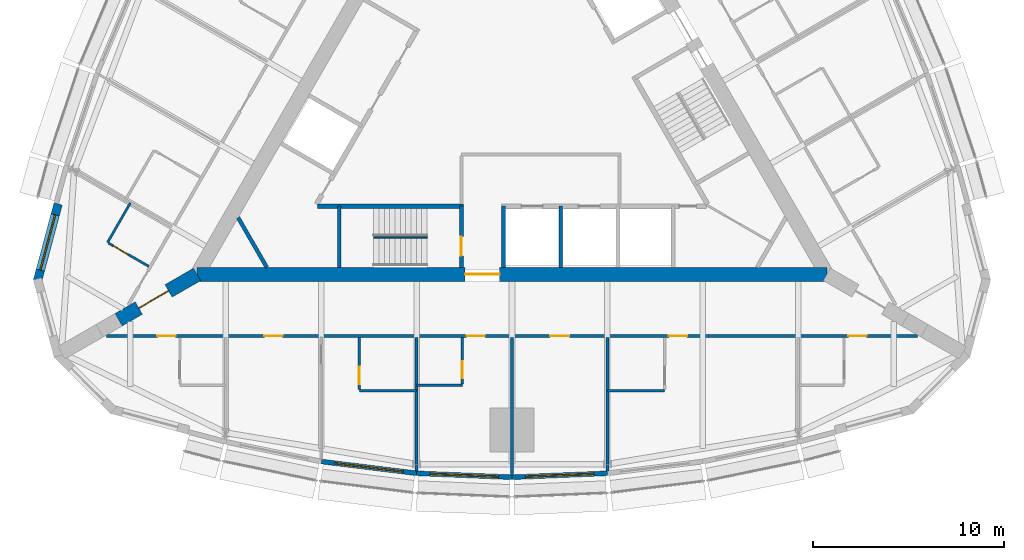
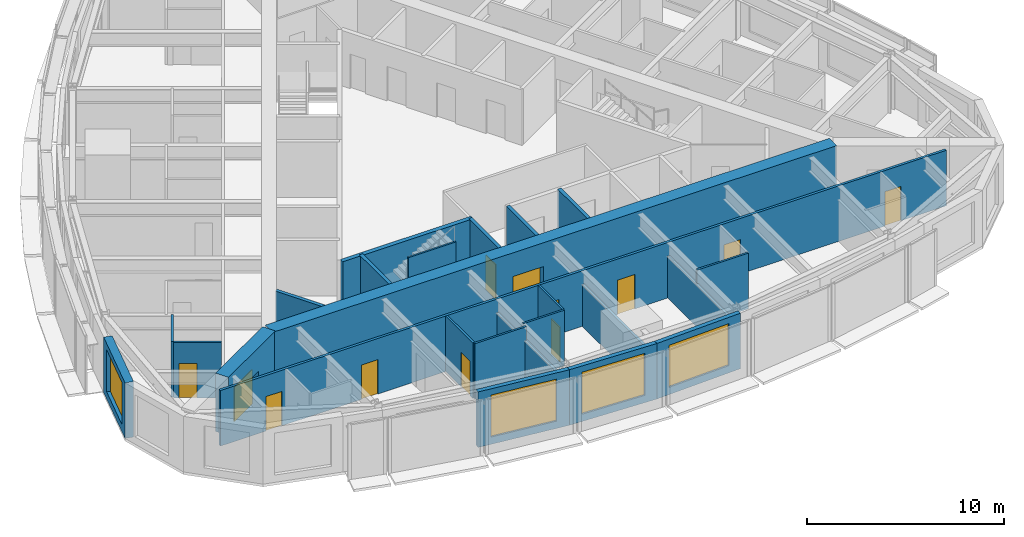
# One storey, part 9 of 15: 24 walls, 12 doors, 4 windows, 16 openings.
"""IFC4 building model written with IfcOpenShell, lengths in metres."""

import ifcopenshell
import ifcopenshell.guid

model = None  # the IFC model being written
_history = None  # IfcOwnerHistory: only IFC2X3 demands one
_inside = {}  # id of a spatial element -> (the spatial element, [elements in it])
_under = {}  # id of a project, library or spatial element -> (it, [spatial elements below it])
_declared = {}  # id of a project -> (the project, [libraries it declares])
_typed = {}  # id of a type object -> (the type object, [elements of that type])
_made_of = {}  # id of a material, layer set ... -> (it, [elements and type objects made of it])


def new_model(schema):
    """Start an empty IFC model of exactly this schema.

    Asked for "IFC4X3", IfcOpenShell would pick the latest addendum, in which some entities
    have other attributes; the version numbers below select the first issue.
    IFC2X3 requires an IfcOwnerHistory on every rooted entity: one is made here for all.
    """
    global model, _history
    if schema == "IFC4X3":
        model = ifcopenshell.file(schema_version=(4, 3, 0, 0))
    else:
        model = ifcopenshell.file(schema=schema)
    _inside.clear()
    _under.clear()
    _declared.clear()
    _typed.clear()
    _made_of.clear()
    _history = None
    if model.schema == "IFC2X3":
        org = make("IfcOrganization", Name="unknown")
        user = make(
            "IfcPersonAndOrganization",
            ThePerson=make("IfcPerson", FamilyName="unknown"),
            TheOrganization=org,
        )
        app = make(
            "IfcApplication",
            ApplicationDeveloper=org,
            Version="unknown",
            ApplicationFullName="unknown",
            ApplicationIdentifier="unknown",
        )
        _history = make(
            "IfcOwnerHistory",
            OwningUser=user,
            OwningApplication=app,
            ChangeAction="ADDED",
            CreationDate=0,
        )
    return model


def make(cls, **values):
    """One entity of the class cls with the attributes given. An attribute that is None is left unset."""
    return model.create_entity(
        cls, **{name: value for name, value in values.items() if value is not None}
    )


def rooted(cls, **values):
    """An entity with a GlobalId (a new one), such as an element, a storey or a relation."""
    return make(cls, GlobalId=ifcopenshell.guid.new(), OwnerHistory=_history, **values)


def si_unit(unit_type, name, prefix=None):
    """IfcSIUnit, for example si_unit("LENGTHUNIT", "METRE", prefix="MILLI")."""
    return make("IfcSIUnit", UnitType=unit_type, Prefix=prefix, Name=name)


def assignment(units):
    """IfcUnitAssignment: the units of a project."""
    return None if units is None else make("IfcUnitAssignment", Units=units)


def point(xyz):
    """IfcCartesianPoint."""
    return None if xyz is None else make("IfcCartesianPoint", Coordinates=xyz)


def direction(xyz):
    """IfcDirection."""
    return None if xyz is None else make("IfcDirection", DirectionRatios=xyz)


def frame(location, z_axis=None, x_axis=None):
    """IfcAxis2Placement3D, a coordinate frame: its origin and axes. An axis left out is left unset."""
    return make(
        "IfcAxis2Placement3D",
        Location=point(location),
        Axis=direction(z_axis),
        RefDirection=direction(x_axis),
    )


def frame_2d(location, x_axis=None):
    """IfcAxis2Placement2D, a coordinate frame in the plane: its origin and x axis."""
    return make(
        "IfcAxis2Placement2D", Location=point(location), RefDirection=direction(x_axis)
    )


def origin():
    """The frame at (0, 0, 0) with its axes left unset."""
    return frame((0.0, 0.0, 0.0))


def place(relative_to, where):
    """IfcLocalPlacement: puts the frame where relative to a parent placement (None: the world)."""
    return make(
        "IfcLocalPlacement", PlacementRelTo=relative_to, RelativePlacement=where
    )


def context(
    kind, dimensions, precision=None, world=None, true_north=None, identifier=None
):
    """IfcGeometricRepresentationContext, for example the 3D "Model" context."""
    return make(
        "IfcGeometricRepresentationContext",
        ContextIdentifier=identifier,
        ContextType=kind,
        CoordinateSpaceDimension=dimensions,
        Precision=precision,
        WorldCoordinateSystem=world,
        TrueNorth=true_north,
    )


def subcontext(parent, identifier, kind, view, scale=None):
    """IfcGeometricRepresentationSubContext, for example "Body" below "Model"."""
    return make(
        "IfcGeometricRepresentationSubContext",
        ContextIdentifier=identifier,
        ContextType=kind,
        ParentContext=parent,
        TargetScale=scale,
        TargetView=view,
    )


def project(units=None, contexts=None):
    """IfcProject with its units and contexts."""
    return rooted(
        "IfcProject",
        Name="project",
        RepresentationContexts=contexts,
        UnitsInContext=assignment(units),
    )


def spatial(cls, under=None, at=None, **own):
    """A site, building, storey or space (cls), placed at a placement, below another one or the project."""
    s = rooted(cls, ObjectPlacement=at, **own)
    if under is not None:
        _under.setdefault(under.id(), (under, []))[1].append(s)
    return s


def profile(cls, at=None, kind="AREA", **sizes):
    """A parametric profile (cls). Its sizes go by their IFC names, for example OverallWidth=200.0."""
    return make(cls, ProfileType=kind, Position=at, **sizes)


def rectangle(**sizes):
    """IfcRectangleProfileDef."""
    return profile("IfcRectangleProfileDef", **sizes)


def extrude(swept, where, along, depth):
    """IfcExtrudedAreaSolid: the profile swept, set in the frame where, extruded along a direction by depth."""
    return make(
        "IfcExtrudedAreaSolid",
        SweptArea=swept,
        Position=where,
        ExtrudedDirection=direction(along),
        Depth=depth,
    )


def shape(context_of_items, identifier, shape_type, items):
    """IfcShapeRepresentation: the items that make up one representation, for example the "Body"."""
    return make(
        "IfcShapeRepresentation",
        ContextOfItems=context_of_items,
        RepresentationIdentifier=identifier,
        RepresentationType=shape_type,
        Items=items,
    )


def material(Name=None, Category=None):
    """IfcMaterial."""
    return make("IfcMaterial", Name=Name, Category=Category)


def layer(
    of_material, thickness, ventilated=None, Name=None, Category=None, Priority=None
):
    """IfcMaterialLayer: one layer of a wall or slab, of a material (None: an air gap)."""
    return make(
        "IfcMaterialLayer",
        Material=of_material,
        LayerThickness=thickness,
        IsVentilated=ventilated,
        Name=Name,
        Category=Category,
        Priority=Priority,
    )


def layer_set(layers, Name=None):
    """IfcMaterialLayerSet."""
    return make("IfcMaterialLayerSet", MaterialLayers=layers, LayerSetName=Name)


def made_of(thing, what):
    """Note that an element or type object is made of a material, layer set ...; save() writes the relation."""
    if what is not None:
        _made_of.setdefault(what.id(), (what, []))[1].append(thing)
    return thing


def type_object(cls, material=None, **own):
    """A type object (cls), such as IfcWallType, which elements share."""
    return made_of(rooted(cls, **own), material)


def element(
    cls,
    number,
    at=None,
    inside=None,
    cuts=None,
    type_object=None,
    material=None,
    context=None,
    identifier="Body",
    shape_type=None,
    held_by="IfcProductDefinitionShape",
    body=None,
    shapes=None,
    **own,
):
    """One element of the class cls, such as IfcWall. Its Tag is "e" and its number.

    at: its placement. inside: the storey or other place that contains it. cuts: it is an
    opening in that element (IfcRelVoidsElement). A single representation is given by context,
    identifier, shape_type and body (its items); several are given by shapes. held_by: the class
    of the entity that holds the representations. save() writes the other relations.
    """
    e = rooted(cls, Tag="e%d" % number, ObjectPlacement=at, **own)
    if body is not None:
        shapes = [shape(context, identifier, shape_type, body)]
    if shapes is not None:
        e.Representation = make(held_by, Representations=shapes)
    if inside is not None:
        _inside.setdefault(inside.id(), (inside, []))[1].append(e)
    if cuts is not None:
        rooted(
            "IfcRelVoidsElement", RelatingBuildingElement=cuts, RelatedOpeningElement=e
        )
    if type_object is not None:
        _typed.setdefault(type_object.id(), (type_object, []))[1].append(e)
    return made_of(e, material)


def fill(opening, filler):
    """IfcRelFillsElement: the door or window that sits in an opening."""
    return rooted(
        "IfcRelFillsElement",
        RelatingOpeningElement=opening,
        RelatedBuildingElement=filler,
    )


def aggregate(whole, parts):
    """IfcRelAggregates: a whole, such as a stair, and the parts it consists of."""
    return rooted("IfcRelAggregates", RelatingObject=whole, RelatedObjects=parts)


def save(model, path):
    """Write the relations noted so far, then the file.

    IfcRelAggregates (storeys below a building ...), IfcRelContainedInSpatialStructure (elements
    in a storey), IfcRelDefinesByType, IfcRelAssociatesMaterial and IfcRelDeclares: one each for
    every whole, place, type object, material and project.
    """
    for whole, parts in _under.values():
        aggregate(whole, parts)
    for where, things in _inside.values():
        rooted(
            "IfcRelContainedInSpatialStructure",
            RelatedElements=things,
            RelatingStructure=where,
        )
    for kind, things in _typed.values():
        rooted("IfcRelDefinesByType", RelatedObjects=things, RelatingType=kind)
    for what, things in _made_of.values():
        rooted("IfcRelAssociatesMaterial", RelatedObjects=things, RelatingMaterial=what)
    for by, libraries in _declared.values():
        rooted("IfcRelDeclares", RelatingContext=by, RelatedDefinitions=libraries)
    model.write(path)


model = new_model("IFC4")

# Units and contexts
model_context = context("Model", 3, precision=1e-05, world=origin(), true_north=direction((0.0, 1.0)))
body_context = subcontext(model_context, "Body", "Model", "MODEL_VIEW")
ifc_project = project(units=[si_unit("LENGTHUNIT", "METRE"), si_unit("AREAUNIT", "SQUARE_METRE"), si_unit("VOLUMEUNIT", "CUBIC_METRE"), si_unit("PLANEANGLEUNIT", "RADIAN"), si_unit("MASSUNIT", "GRAM", prefix="KILO")], contexts=[model_context])

# Site, building, storey
site_placement = place(None, origin())
site = spatial("IfcSite", under=ifc_project, at=site_placement, CompositionType="ELEMENT")
building_placement = place(site_placement, origin())
building = spatial("IfcBuilding", under=site, at=building_placement, Name="Trikona Tower", CompositionType="ELEMENT")
storey_placement = place(building_placement, frame((0.0, 0.0, 208.10009765625)))
storey = spatial("IfcBuildingStorey", under=building, at=storey_placement, Name="L55", CompositionType="ELEMENT", Elevation=208.10009765625)

# Wall
ifc_material_1 = material(Name="Metal stud and cement board", Category="gypsum")
ifc_layer_1 = layer(ifc_material_1, 0.1201171875)
ifc_layer_set_1 = layer_set([ifc_layer_1], Name="Bathroom wall 120")
wall_type_1 = type_object("IfcWallType", Name="Bathroom wall 120", PredefinedType="PLUMBINGWALL", material=ifc_layer_set_1)
wall_1_placement = place(storey_placement, frame((-8.0, -15.626220703125, 0.0), z_axis=(0.0, 0.0, 1.0), x_axis=(1.0, 0.0, 0.0)))
element("IfcWall", 1, at=wall_1_placement, inside=storey, type_object=wall_type_1, Name="Bathroom wall 5502.1", PredefinedType="PLUMBINGWALL", context=body_context, shape_type="SweptSolid", body=[
    extrude(rectangle(XDim=3.0, YDim=0.1201171875, at=frame_2d((1.5, 0.0))), origin(), (0.0, 0.0, 1.0), 3.434814453125),
])

# Wall, opening, door
wall_2_placement = place(storey_placement, frame((-8.0, -12.826416015625, 0.0), z_axis=(0.0, 0.0, 1.0), x_axis=(0.0, -1.0, 0.0)))
wall_2 = element("IfcWall", 2, at=wall_2_placement, inside=storey, type_object=wall_type_1, Name="Bathroom wall 5502.1", PredefinedType="PLUMBINGWALL", context=body_context, shape_type="SweptSolid", body=[
    extrude(rectangle(XDim=2.739990234375, YDim=0.1201171875, at=frame_2d((1.3701171875, 0.0))), origin(), (0.0, 0.0, 1.0), 3.434814453125),
])
opening_1_placement = place(wall_2_placement, frame((1.550048828125, 0.0, 0.0)))
opening_1 = element("IfcOpeningElement", 3, at=opening_1_placement, cuts=wall_2, Name="Opening D2", PredefinedType="OPENING", context=body_context, shape_type="SweptSolid", body=[
    extrude(rectangle(XDim=0.89990234375, YDim=2.1298828125, at=frame_2d((0.449951171875, 1.06494140625))), frame((0.0, 0.070068359375, 0.0), z_axis=(0.0, -1.0, 0.0), x_axis=(1.0, 0.0, 0.0)), (0.0, 0.0, 1.0), 0.14013671875),
])
ifc_material_2 = material(Name="Steel door frame with solid-core timber leaf", Category="steel")
door_type_1 = type_object("IfcDoorType", Name="Bathroom door 900x2130", OperationType="SLIDING_TO_LEFT", PredefinedType="DOOR", material=ifc_material_2)
door_1_placement = place(opening_1_placement, origin())
door_1 = element("IfcDoor", 4, at=door_1_placement, inside=storey, type_object=door_type_1, Name="Bathroom door 5502.1", OperationType="SLIDING_TO_LEFT", OverallHeight=2.1298828125, OverallWidth=0.89990234375, PredefinedType="DOOR", context=body_context, shape_type="SweptSolid", body=[
    extrude(rectangle(XDim=0.89990234375, YDim=2.1298828125, at=frame_2d((0.449951171875, 1.06494140625))), frame((0.0, 0.02490234375, 0.0), z_axis=(0.0, -1.0, 0.0), x_axis=(1.0, 0.0, 0.0)), (0.0, 0.0, 1.0), 0.050048828125),
])
fill(opening_1, door_1)

# Wall
wall_3_placement = place(storey_placement, frame((-5.0, -15.326416015625, 0.0), z_axis=(0.0, 0.0, 1.0), x_axis=(1.0, 0.0, 0.0)))
element("IfcWall", 5, at=wall_3_placement, inside=storey, type_object=wall_type_1, Name="Bathroom wall 5503", PredefinedType="PLUMBINGWALL", context=body_context, shape_type="SweptSolid", body=[
    extrude(rectangle(XDim=2.39990234375, YDim=0.1201171875, at=frame_2d((1.199951171875, 0.0))), origin(), (0.0, 0.0, 1.0), 3.434814453125),
])

# Wall, opening, door
wall_4_placement = place(storey_placement, frame((-2.60009765625, -12.826416015625, 0.0), z_axis=(0.0, 0.0, 1.0), x_axis=(0.0, -1.0, 0.0)))
wall_4 = element("IfcWall", 6, at=wall_4_placement, inside=storey, type_object=wall_type_1, Name="Bathroom wall 5503", PredefinedType="PLUMBINGWALL", context=body_context, shape_type="SweptSolid", body=[
    extrude(rectangle(XDim=2.43994140625, YDim=0.1201171875, at=frame_2d((1.219970703125, 0.0))), origin(), (0.0, 0.0, 1.0), 3.434814453125),
])
opening_2_placement = place(wall_4_placement, frame((1.25, 0.0, 0.0)))
opening_2 = element("IfcOpeningElement", 7, at=opening_2_placement, cuts=wall_4, Name="Opening D2", PredefinedType="OPENING", context=body_context, shape_type="SweptSolid", body=[
    extrude(rectangle(XDim=0.89990234375, YDim=2.1298828125, at=frame_2d((0.449951171875, 1.06494140625))), frame((0.0, 0.070068359375, 0.0), z_axis=(0.0, -1.0, 0.0), x_axis=(1.0, 0.0, 0.0)), (0.0, 0.0, 1.0), 0.14013671875),
])
door_2_placement = place(opening_2_placement, origin())
door_2 = element("IfcDoor", 8, at=door_2_placement, inside=storey, type_object=door_type_1, Name="Bathroom door 5503", OperationType="SLIDING_TO_LEFT", OverallHeight=2.1298828125, OverallWidth=0.89990234375, PredefinedType="DOOR", context=body_context, shape_type="SweptSolid", body=[
    extrude(rectangle(XDim=0.89990234375, YDim=2.1298828125, at=frame_2d((0.449951171875, 1.06494140625))), frame((0.0, 0.02490234375, 0.0), z_axis=(0.0, -1.0, 0.0), x_axis=(1.0, 0.0, 0.0)), (0.0, 0.0, 1.0), 0.050048828125),
])
fill(opening_2, door_2)

# Walls
wall_5_placement = place(storey_placement, frame((5.0, -15.626220703125, 0.0), z_axis=(0.0, 0.0, 1.0), x_axis=(1.0, 0.0, 0.0)))
element("IfcWall", 9, at=wall_5_placement, inside=storey, type_object=wall_type_1, Name="Bathroom wall 5504", PredefinedType="PLUMBINGWALL", context=body_context, shape_type="SweptSolid", body=[
    extrude(rectangle(XDim=3.0, YDim=0.1201171875, at=frame_2d((1.5, 0.0))), origin(), (0.0, 0.0, 1.0), 3.434814453125),
])
wall_6_placement = place(storey_placement, frame((-19.993408203125, -5.777099609375, 0.0), z_axis=(0.0, 0.0, 1.0), x_axis=(-0.500033551112, -0.866006032174, 0.0)))
element("IfcWall", 10, at=wall_6_placement, inside=storey, type_object=wall_type_1, Name="Bathroom wall 5516", PredefinedType="PLUMBINGWALL", context=body_context, shape_type="SweptSolid", body=[
    extrude(rectangle(XDim=2.400146484375, YDim=0.1201171875, at=frame_2d((1.2001953125, 0.0))), origin(), (0.0, 0.0, 1.0), 3.434814453125),
])

# Wall, opening, door
wall_7_placement = place(storey_placement, frame((-19.028564453125, -9.105712890625, 0.0), z_axis=(0.0, 0.0, 1.0), x_axis=(-0.866023955769, 0.500002508028, 0.0)))
wall_7 = element("IfcWall", 11, at=wall_7_placement, inside=storey, type_object=wall_type_1, Name="Bathroom wall 5516", PredefinedType="PLUMBINGWALL", context=body_context, shape_type="SweptSolid", body=[
    extrude(rectangle(XDim=2.43994140625, YDim=0.1201171875, at=frame_2d((1.219970703125, 0.0))), origin(), (0.0, 0.0, 1.0), 3.434814453125),
])
opening_3_placement = place(wall_7_placement, frame((1.25, 0.0, 0.0)))
opening_3 = element("IfcOpeningElement", 12, at=opening_3_placement, cuts=wall_7, Name="Opening D2", PredefinedType="OPENING", context=body_context, shape_type="SweptSolid", body=[
    extrude(rectangle(XDim=0.89990234375, YDim=2.1298828125, at=frame_2d((0.449951171875, 1.06494140625))), frame((0.0, 0.070068359375, 0.0), z_axis=(0.0, -1.0, 0.0), x_axis=(1.0, 0.0, 0.0)), (0.0, 0.0, 1.0), 0.14013671875),
])
door_3_placement = place(opening_3_placement, origin())
door_3 = element("IfcDoor", 13, at=door_3_placement, inside=storey, type_object=door_type_1, Name="Bathroom door 5516", OperationType="SLIDING_TO_LEFT", OverallHeight=2.1298828125, OverallWidth=0.89990234375, PredefinedType="DOOR", context=body_context, shape_type="SweptSolid", body=[
    extrude(rectangle(XDim=0.89990234375, YDim=2.1298828125, at=frame_2d((0.449951171875, 1.06494140625))), frame((0.0, 0.02490234375, 0.0), z_axis=(0.0, -1.0, 0.0), x_axis=(1.0, 0.0, 0.0)), (0.0, 0.0, 1.0), 0.050048828125),
])
fill(opening_3, door_3)

# Wall, opening, window
ifc_material_3 = material(Name="Brick-faced precast concrete", Category="masonry")
ifc_layer_2 = layer(ifc_material_3, 0.449951171875)
ifc_layer_set_2 = layer_set([ifc_layer_2], Name="Brick-faced corner wall 450")
wall_type_2 = type_object("IfcWallType", Name="Brick-faced corner wall 450", PredefinedType="SOLIDWALL", material=ifc_layer_set_2)
wall_8_placement = place(storey_placement, frame((-23.78271484375, -5.831787109375, 0.0), z_axis=(0.0, 0.0, 1.0), x_axis=(-0.258784695888, -0.965935029479, 0.0)))
wall_8 = element("IfcWall", 14, at=wall_8_placement, inside=storey, type_object=wall_type_2, Name="External wall L55-32", PredefinedType="SOLIDWALL", context=body_context, shape_type="SweptSolid", body=[
    extrude(rectangle(XDim=4.18408203125, YDim=0.449951171875, at=frame_2d((2.092041015625, 0.0))), origin(), (0.0, 0.0, 1.0), 3.434814453125),
])
opening_4_placement = place(wall_8_placement, frame((0.592041015625, 0.0, 0.449951171875)))
opening_4 = element("IfcOpeningElement", 15, at=opening_4_placement, cuts=wall_8, Name="Opening W3026", PredefinedType="OPENING", context=body_context, shape_type="SweptSolid", body=[
    extrude(rectangle(XDim=3.0, YDim=2.60009765625, at=frame_2d((1.5, 1.300048828125))), frame((0.0, 0.23486328125, 0.0), z_axis=(0.0, -1.0, 0.0), x_axis=(1.0, 0.0, 0.0)), (0.0, 0.0, 1.0), 0.469970703125),
])
ifc_material_4 = material(Name="Aluminium-framed double glazing", Category="aluminium")
window_type_1 = type_object("IfcWindowType", Name="Window 3000x2600", PartitioningType="SINGLE_PANEL", PredefinedType="WINDOW", material=ifc_material_4)
window_1_placement = place(opening_4_placement, origin())
window_1 = element("IfcWindow", 16, at=window_1_placement, inside=storey, type_object=window_type_1, Name="Window 5516", OverallHeight=2.60009765625, OverallWidth=3.0, PartitioningType="SINGLE_PANEL", PredefinedType="WINDOW", context=body_context, shape_type="SweptSolid", body=[
    extrude(rectangle(XDim=3.0, YDim=2.60009765625, at=frame_2d((1.5, 1.300048828125))), frame((0.0, 0.030029296875, 0.0), z_axis=(0.0, -1.0, 0.0), x_axis=(1.0, 0.0, 0.0)), (0.0, 0.0, 1.0), 0.06005859375),
])
fill(opening_4, window_1)

# Wall, opening, door
ifc_material_5 = material(Name="Concrete f'c 10000 psi", Category="concrete")
ifc_layer_3 = layer(ifc_material_5, 0.75)
ifc_layer_set_3 = layer_set([ifc_layer_3], Name="Buttress wall 750")
wall_type_3 = type_object("IfcWallType", Name="Buttress wall 750", PredefinedType="SHEAR", material=ifc_layer_set_3)
wall_9_placement = place(storey_placement, frame((-16.5, -9.5263671875, 0.0), z_axis=(0.0, 0.0, 1.0), x_axis=(-0.866031398331, -0.499989616998, 0.0)))
wall_9 = element("IfcWall", 17, at=wall_9_placement, inside=storey, type_object=wall_type_3, Name="Buttress wall 3", PredefinedType="SHEAR", context=body_context, shape_type="SweptSolid", body=[
    extrude(rectangle(XDim=4.74609375, YDim=0.75, at=frame_2d((2.373046875, 0.0))), origin(), (0.0, 0.0, 1.0), 3.599853515625),
])
opening_5_placement = place(wall_9_placement, frame((1.72509765625, 0.0, 0.0)))
opening_5 = element("IfcOpeningElement", 18, at=opening_5_placement, cuts=wall_9, Name="Opening D10", PredefinedType="OPENING", context=body_context, shape_type="SweptSolid", body=[
    extrude(rectangle(XDim=1.800048828125, YDim=2.1298828125, at=frame_2d((0.89990234375, 1.06494140625))), frame((0.0, 0.385009765625, 0.0), z_axis=(0.0, -1.0, 0.0), x_axis=(1.0, 0.0, 0.0)), (0.0, 0.0, 1.0), 0.77001953125),
])
ifc_material_6 = material(Name="Hollow metal door and frame", Category="steel")
door_type_2 = type_object("IfcDoorType", Name="Cross-corridor door pair 1800x2130", OperationType="DOUBLE_DOOR_DOUBLE_SWING", PredefinedType="DOOR", material=ifc_material_6)
door_4_placement = place(opening_5_placement, origin())
door_4 = element("IfcDoor", 19, at=door_4_placement, inside=storey, type_object=door_type_2, Name="Cross-corridor door 3", OperationType="DOUBLE_DOOR_DOUBLE_SWING", OverallHeight=2.1298828125, OverallWidth=1.800048828125, PredefinedType="DOOR", context=body_context, shape_type="SweptSolid", body=[
    extrude(rectangle(XDim=1.800048828125, YDim=2.1298828125, at=frame_2d((0.89990234375, 1.06494140625))), frame((0.0, 0.02490234375, 0.0), z_axis=(0.0, -1.0, 0.0), x_axis=(1.0, 0.0, 0.0)), (0.0, 0.0, 1.0), 0.050048828125),
])
fill(opening_5, door_4)

ifc_material_7 = material(Name="Concrete f'c 10000 psi", Category="concrete")
ifc_layer_4 = layer(ifc_material_7, 0.75)
ifc_layer_set_4 = layer_set([ifc_layer_4], Name="Core wall 750")
wall_type_4 = type_object("IfcWallType", Name="Core wall 750", PredefinedType="SHEAR", material=ifc_layer_set_4)
wall_10_placement = place(storey_placement, frame((-16.5, -9.5263671875, 0.0), z_axis=(0.0, 0.0, 1.0), x_axis=(1.0, 0.0, 0.0)))
wall_10 = element("IfcWall", 20, at=wall_10_placement, inside=storey, type_object=wall_type_4, Name="Core wall A", PredefinedType="SHEAR", context=body_context, shape_type="SweptSolid", body=[
    extrude(rectangle(XDim=33.0, YDim=0.75, at=frame_2d((16.5, 0.0))), origin(), (0.0, 0.0, 1.0), 3.599853515625),
])
opening_6_placement = place(wall_10_placement, frame((14.050048828125, 0.0, 0.0)))
opening_6 = element("IfcOpeningElement", 21, at=opening_6_placement, cuts=wall_10, Name="Opening D6", PredefinedType="OPENING", context=body_context, shape_type="SweptSolid", body=[
    extrude(rectangle(XDim=1.800048828125, YDim=2.1298828125, at=frame_2d((0.89990234375, 1.06494140625))), frame((0.0, 0.385009765625, 0.0), z_axis=(0.0, -1.0, 0.0), x_axis=(1.0, 0.0, 0.0)), (0.0, 0.0, 1.0), 0.77001953125),
])
ifc_material_8 = material(Name="Hollow metal door and frame", Category="steel")
door_type_3 = type_object("IfcDoorType", Name="Lobby door pair 1800x2130", OperationType="DOUBLE_DOOR_SINGLE_SWING", PredefinedType="DOOR", material=ifc_material_8)
door_5_placement = place(opening_6_placement, origin())
door_5 = element("IfcDoor", 22, at=door_5_placement, inside=storey, type_object=door_type_3, Name="Fire service lift lobby door", OperationType="DOUBLE_DOOR_SINGLE_SWING", OverallHeight=2.1298828125, OverallWidth=1.800048828125, PredefinedType="DOOR", context=body_context, shape_type="SweptSolid", body=[
    extrude(rectangle(XDim=1.800048828125, YDim=2.1298828125, at=frame_2d((0.89990234375, 1.06494140625))), frame((0.0, 0.02490234375, 0.0), z_axis=(0.0, -1.0, 0.0), x_axis=(1.0, 0.0, 0.0)), (0.0, 0.0, 1.0), 0.050048828125),
])
fill(opening_6, door_5)

# Wall, openings, doors
ifc_material_9 = material(Name="Metal stud and gypsum board, 1-hour", Category="gypsum")
ifc_layer_5 = layer(ifc_material_9, 0.14990234375)
ifc_layer_set_5 = layer_set([ifc_layer_5], Name="Corridor wall 150")
wall_type_5 = type_object("IfcWallType", Name="Corridor wall 150", PredefinedType="PARTITIONING", material=ifc_layer_set_5)
wall_11_placement = place(storey_placement, frame((-21.23583984375, -12.751220703125, 0.0), z_axis=(0.0, 0.0, 1.0), x_axis=(1.0, 0.0, 0.0)))
wall_11 = element("IfcWall", 23, at=wall_11_placement, inside=storey, type_object=wall_type_5, Name="Corridor wall L55-1", PredefinedType="PARTITIONING", context=body_context, shape_type="SweptSolid", body=[
    extrude(rectangle(XDim=42.4716796875, YDim=0.14990234375, at=frame_2d((21.23583984375, 0.0))), origin(), (0.0, 0.0, 1.0), 3.434814453125),
])
opening_7_placement = place(wall_11_placement, frame((2.660888671875, 0.0, 0.0)))
opening_7 = element("IfcOpeningElement", 24, at=opening_7_placement, cuts=wall_11, Name="Opening D1", PredefinedType="OPENING", context=body_context, shape_type="SweptSolid", body=[
    extrude(rectangle(XDim=0.949951171875, YDim=2.1298828125, at=frame_2d((0.47509765625, 1.06494140625))), frame((0.0, 0.0849609375, 0.0), z_axis=(0.0, -1.0, 0.0), x_axis=(1.0, 0.0, 0.0)), (0.0, 0.0, 1.0), 0.169921875),
])
opening_8_placement = place(wall_11_placement, frame((8.260986328125, 0.0, 0.0)))
opening_8 = element("IfcOpeningElement", 25, at=opening_8_placement, cuts=wall_11, Name="Opening D1", PredefinedType="OPENING", context=body_context, shape_type="SweptSolid", body=[
    extrude(rectangle(XDim=0.949951171875, YDim=2.1298828125, at=frame_2d((0.47509765625, 1.06494140625))), frame((0.0, 0.0849609375, 0.0), z_axis=(0.0, -1.0, 0.0), x_axis=(1.0, 0.0, 0.0)), (0.0, 0.0, 1.0), 0.169921875),
])
opening_9_placement = place(wall_11_placement, frame((18.86083984375, 0.0, 0.0)))
opening_9 = element("IfcOpeningElement", 26, at=opening_9_placement, cuts=wall_11, Name="Opening D1", PredefinedType="OPENING", context=body_context, shape_type="SweptSolid", body=[
    extrude(rectangle(XDim=0.949951171875, YDim=2.1298828125, at=frame_2d((0.47509765625, 1.06494140625))), frame((0.0, 0.0849609375, 0.0), z_axis=(0.0, -1.0, 0.0), x_axis=(1.0, 0.0, 0.0)), (0.0, 0.0, 1.0), 0.169921875),
])
opening_10_placement = place(wall_11_placement, frame((23.23583984375, 0.0, 0.0)))
opening_10 = element("IfcOpeningElement", 27, at=opening_10_placement, cuts=wall_11, Name="Opening D3", PredefinedType="OPENING", context=body_context, shape_type="SweptSolid", body=[
    extrude(rectangle(XDim=1.0, YDim=2.1298828125, at=frame_2d((0.5, 1.06494140625))), frame((0.0, 0.0849609375, 0.0), z_axis=(0.0, -1.0, 0.0), x_axis=(1.0, 0.0, 0.0)), (0.0, 0.0, 1.0), 0.169921875),
])
opening_11_placement = place(wall_11_placement, frame((29.4609375, 0.0, 0.0)))
opening_11 = element("IfcOpeningElement", 28, at=opening_11_placement, cuts=wall_11, Name="Opening D1", PredefinedType="OPENING", context=body_context, shape_type="SweptSolid", body=[
    extrude(rectangle(XDim=0.949951171875, YDim=2.1298828125, at=frame_2d((0.47509765625, 1.06494140625))), frame((0.0, 0.0849609375, 0.0), z_axis=(0.0, -1.0, 0.0), x_axis=(1.0, 0.0, 0.0)), (0.0, 0.0, 1.0), 0.169921875),
])
opening_12_placement = place(wall_11_placement, frame((38.86083984375, 0.0, 0.0)))
opening_12 = element("IfcOpeningElement", 29, at=opening_12_placement, cuts=wall_11, Name="Opening D1", PredefinedType="OPENING", context=body_context, shape_type="SweptSolid", body=[
    extrude(rectangle(XDim=0.949951171875, YDim=2.1298828125, at=frame_2d((0.47509765625, 1.06494140625))), frame((0.0, 0.0849609375, 0.0), z_axis=(0.0, -1.0, 0.0), x_axis=(1.0, 0.0, 0.0)), (0.0, 0.0, 1.0), 0.169921875),
])
ifc_material_10 = material(Name="Steel door frame with solid-core timber leaf", Category="steel")
door_type_4 = type_object("IfcDoorType", Name="Guest room door 950x2130", OperationType="SINGLE_SWING_LEFT", PredefinedType="DOOR", material=ifc_material_10)
door_6_placement = place(opening_7_placement, origin())
door_6 = element("IfcDoor", 30, at=door_6_placement, inside=storey, type_object=door_type_4, Name="Room door 5501", OperationType="SINGLE_SWING_LEFT", OverallHeight=2.1298828125, OverallWidth=0.949951171875, PredefinedType="DOOR", context=body_context, shape_type="SweptSolid", body=[
    extrude(rectangle(XDim=0.949951171875, YDim=2.1298828125, at=frame_2d((0.47509765625, 1.06494140625))), frame((0.0, 0.02490234375, 0.0), z_axis=(0.0, -1.0, 0.0), x_axis=(1.0, 0.0, 0.0)), (0.0, 0.0, 1.0), 0.050048828125),
])
fill(opening_7, door_6)
door_7_placement = place(opening_8_placement, origin())
door_7 = element("IfcDoor", 31, at=door_7_placement, inside=storey, type_object=door_type_4, Name="Room door 5502", OperationType="SINGLE_SWING_RIGHT", OverallHeight=2.1298828125, OverallWidth=0.949951171875, PredefinedType="DOOR", context=body_context, shape_type="SweptSolid", body=[
    extrude(rectangle(XDim=0.949951171875, YDim=2.1298828125, at=frame_2d((0.47509765625, 1.06494140625))), frame((0.0, 0.02490234375, 0.0), z_axis=(0.0, -1.0, 0.0), x_axis=(1.0, 0.0, 0.0)), (0.0, 0.0, 1.0), 0.050048828125),
])
fill(opening_8, door_7)
door_8_placement = place(opening_9_placement, origin())
door_8 = element("IfcDoor", 32, at=door_8_placement, inside=storey, type_object=door_type_4, Name="Room door 5503", OperationType="SINGLE_SWING_LEFT", OverallHeight=2.1298828125, OverallWidth=0.949951171875, PredefinedType="DOOR", context=body_context, shape_type="SweptSolid", body=[
    extrude(rectangle(XDim=0.949951171875, YDim=2.1298828125, at=frame_2d((0.47509765625, 1.06494140625))), frame((0.0, 0.02490234375, 0.0), z_axis=(0.0, -1.0, 0.0), x_axis=(1.0, 0.0, 0.0)), (0.0, 0.0, 1.0), 0.050048828125),
])
fill(opening_9, door_8)
door_9_placement = place(opening_11_placement, origin())
door_9 = element("IfcDoor", 33, at=door_9_placement, inside=storey, type_object=door_type_4, Name="Room door 5504", OperationType="SINGLE_SWING_LEFT", OverallHeight=2.1298828125, OverallWidth=0.949951171875, PredefinedType="DOOR", context=body_context, shape_type="SweptSolid", body=[
    extrude(rectangle(XDim=0.949951171875, YDim=2.1298828125, at=frame_2d((0.47509765625, 1.06494140625))), frame((0.0, 0.02490234375, 0.0), z_axis=(0.0, -1.0, 0.0), x_axis=(1.0, 0.0, 0.0)), (0.0, 0.0, 1.0), 0.050048828125),
])
fill(opening_11, door_9)
door_10_placement = place(opening_12_placement, origin())
door_10 = element("IfcDoor", 34, at=door_10_placement, inside=storey, type_object=door_type_4, Name="Room door 5505", OperationType="SINGLE_SWING_RIGHT", OverallHeight=2.1298828125, OverallWidth=0.949951171875, PredefinedType="DOOR", context=body_context, shape_type="SweptSolid", body=[
    extrude(rectangle(XDim=0.949951171875, YDim=2.1298828125, at=frame_2d((0.47509765625, 1.06494140625))), frame((0.0, 0.02490234375, 0.0), z_axis=(0.0, -1.0, 0.0), x_axis=(1.0, 0.0, 0.0)), (0.0, 0.0, 1.0), 0.050048828125),
])
fill(opening_12, door_10)
ifc_material_11 = material(Name="Steel door frame with solid-core timber leaf", Category="steel")
door_type_5 = type_object("IfcDoorType", Name="Room door 1000x2130", OperationType="SINGLE_SWING_LEFT", PredefinedType="DOOR", material=ifc_material_11)
door_11_placement = place(opening_10_placement, origin())
door_11 = element("IfcDoor", 35, at=door_11_placement, inside=storey, type_object=door_type_5, Name="Door Housekeeping pantry", OperationType="SINGLE_SWING_RIGHT", OverallHeight=2.1298828125, OverallWidth=1.0, PredefinedType="DOOR", context=body_context, shape_type="SweptSolid", body=[
    extrude(rectangle(XDim=1.0, YDim=2.1298828125, at=frame_2d((0.5, 1.06494140625))), frame((0.0, 0.02490234375, 0.0), z_axis=(0.0, -1.0, 0.0), x_axis=(1.0, 0.0, 0.0)), (0.0, 0.0, 1.0), 0.050048828125),
])
fill(opening_10, door_11)

# Wall
ifc_material_12 = material(Name="Concrete f'c 8000 psi", Category="concrete")
ifc_layer_6 = layer(ifc_material_12, 0.25)
ifc_layer_set_6 = layer_set([ifc_layer_6], Name="Hub wall 250")
wall_type_6 = type_object("IfcWallType", Name="Hub wall 250", PredefinedType="SOLIDWALL", material=ifc_layer_set_6)
wall_12_placement = place(storey_placement, frame((-10.182861328125, -5.951416015625, 0.0), z_axis=(0.0, 0.0, 1.0), x_axis=(1.0, 0.0, 0.0)))
element("IfcWall", 36, at=wall_12_placement, inside=storey, type_object=wall_type_6, Name="Lift lobby wall A1", PredefinedType="SOLIDWALL", context=body_context, shape_type="SweptSolid", body=[
    extrude(rectangle(XDim=7.6328125, YDim=0.25, at=frame_2d((3.81640625, 0.0))), origin(), (0.0, 0.0, 1.0), 3.434814453125),
])

# Wall, opening, window
ifc_material_13 = material(Name="Insulated precast concrete spandrel panel", Category="concrete")
ifc_layer_7 = layer(ifc_material_13, 0.25)
ifc_layer_set_7 = layer_set([ifc_layer_7], Name="Inner skin wall 250")
wall_type_7 = type_object("IfcWallType", Name="Inner skin wall 250", PredefinedType="STANDARD", material=ifc_layer_set_7)
wall_13_placement = place(storey_placement, frame((-9.984619140625, -19.330078125, 0.0), z_axis=(0.0, 0.0, 1.0), x_axis=(0.992449874964, -0.12265090984, 0.0)))
wall_13 = element("IfcWall", 37, at=wall_13_placement, inside=storey, type_object=wall_type_7, Name="External wall L55-02", PredefinedType="STANDARD", context=body_context, shape_type="SweptSolid", body=[
    extrude(rectangle(XDim=5.0380859375, YDim=0.25, at=frame_2d((2.51904296875, 0.0))), origin(), (0.0, 0.0, 1.0), 3.434814453125),
])
opening_13_placement = place(wall_13_placement, frame((0.718994140625, 0.0, 0.449951171875)))
opening_13 = element("IfcOpeningElement", 38, at=opening_13_placement, cuts=wall_13, Name="Opening W3626", PredefinedType="OPENING", context=body_context, shape_type="SweptSolid", body=[
    extrude(rectangle(XDim=3.60009765625, YDim=2.60009765625, at=frame_2d((1.800048828125, 1.300048828125))), frame((0.0, 0.135009765625, 0.0), z_axis=(0.0, -1.0, 0.0), x_axis=(1.0, 0.0, 0.0)), (0.0, 0.0, 1.0), 0.27001953125),
])
ifc_material_14 = material(Name="Aluminium-framed double glazing", Category="aluminium")
window_type_2 = type_object("IfcWindowType", Name="Window 3600x2600", PartitioningType="SINGLE_PANEL", PredefinedType="WINDOW", material=ifc_material_14)
window_2_placement = place(opening_13_placement, origin())
window_2 = element("IfcWindow", 39, at=window_2_placement, inside=storey, type_object=window_type_2, Name="Window 5502.1", OverallHeight=2.60009765625, OverallWidth=3.60009765625, PartitioningType="SINGLE_PANEL", PredefinedType="WINDOW", context=body_context, shape_type="SweptSolid", body=[
    extrude(rectangle(XDim=3.60009765625, YDim=2.60009765625, at=frame_2d((1.800048828125, 1.300048828125))), frame((0.0, 0.030029296875, 0.0), z_axis=(0.0, -1.0, 0.0), x_axis=(1.0, 0.0, 0.0)), (0.0, 0.0, 1.0), 0.06005859375),
])
fill(opening_13, window_2)

wall_14_placement = place(storey_placement, frame((-4.994873046875, -19.947021484375, 0.0), z_axis=(0.0, 0.0, 1.0), x_axis=(0.999151909423, -0.041175986892, 0.0)))
wall_14 = element("IfcWall", 40, at=wall_14_placement, inside=storey, type_object=wall_type_7, Name="External wall L55-03", PredefinedType="STANDARD", context=body_context, shape_type="SweptSolid", body=[
    extrude(rectangle(XDim=5.004150390625, YDim=0.25, at=frame_2d((2.501953125, 0.0))), origin(), (0.0, 0.0, 1.0), 3.434814453125),
])
opening_14_placement = place(wall_14_placement, frame((0.7021484375, 0.0, 0.449951171875)))
opening_14 = element("IfcOpeningElement", 41, at=opening_14_placement, cuts=wall_14, Name="Opening W3626", PredefinedType="OPENING", context=body_context, shape_type="SweptSolid", body=[
    extrude(rectangle(XDim=3.60009765625, YDim=2.60009765625, at=frame_2d((1.800048828125, 1.300048828125))), frame((0.0, 0.135009765625, 0.0), z_axis=(0.0, -1.0, 0.0), x_axis=(1.0, 0.0, 0.0)), (0.0, 0.0, 1.0), 0.27001953125),
])
window_3_placement = place(opening_14_placement, origin())
window_3 = element("IfcWindow", 42, at=window_3_placement, inside=storey, type_object=window_type_2, Name="Window 5503", OverallHeight=2.60009765625, OverallWidth=3.60009765625, PartitioningType="SINGLE_PANEL", PredefinedType="WINDOW", context=body_context, shape_type="SweptSolid", body=[
    extrude(rectangle(XDim=3.60009765625, YDim=2.60009765625, at=frame_2d((1.800048828125, 1.300048828125))), frame((0.0, 0.030029296875, 0.0), z_axis=(0.0, -1.0, 0.0), x_axis=(1.0, 0.0, 0.0)), (0.0, 0.0, 1.0), 0.06005859375),
])
fill(opening_14, window_3)

wall_15_placement = place(storey_placement, frame((-0.005126953125, -20.153076171875, 0.0), z_axis=(0.0, 0.0, 1.0), x_axis=(0.999151909423, 0.041175986892, 0.0)))
wall_15 = element("IfcWall", 43, at=wall_15_placement, inside=storey, type_object=wall_type_7, Name="External wall L55-04", PredefinedType="STANDARD", context=body_context, shape_type="SweptSolid", body=[
    extrude(rectangle(XDim=5.004150390625, YDim=0.25, at=frame_2d((2.501953125, 0.0))), origin(), (0.0, 0.0, 1.0), 3.434814453125),
])
opening_15_placement = place(wall_15_placement, frame((0.7021484375, 0.0, 0.449951171875)))
opening_15 = element("IfcOpeningElement", 44, at=opening_15_placement, cuts=wall_15, Name="Opening W3626", PredefinedType="OPENING", context=body_context, shape_type="SweptSolid", body=[
    extrude(rectangle(XDim=3.60009765625, YDim=2.60009765625, at=frame_2d((1.800048828125, 1.300048828125))), frame((0.0, 0.135009765625, 0.0), z_axis=(0.0, -1.0, 0.0), x_axis=(1.0, 0.0, 0.0)), (0.0, 0.0, 1.0), 0.27001953125),
])
window_4_placement = place(opening_15_placement, origin())
window_4 = element("IfcWindow", 45, at=window_4_placement, inside=storey, type_object=window_type_2, Name="Window L55-HKP", OverallHeight=2.60009765625, OverallWidth=3.60009765625, PartitioningType="SINGLE_PANEL", PredefinedType="WINDOW", context=body_context, shape_type="SweptSolid", body=[
    extrude(rectangle(XDim=3.60009765625, YDim=2.60009765625, at=frame_2d((1.800048828125, 1.300048828125))), frame((0.0, 0.030029296875, 0.0), z_axis=(0.0, -1.0, 0.0), x_axis=(1.0, 0.0, 0.0)), (0.0, 0.0, 1.0), 0.06005859375),
])
fill(opening_15, window_4)

# Walls
ifc_material_15 = material(Name="Metal stud and gypsum board, 1-hour acoustic", Category="gypsum")
ifc_layer_8 = layer(ifc_material_15, 0.14990234375)
ifc_layer_set_8 = layer_set([ifc_layer_8], Name="Party wall 150")
wall_type_8 = type_object("IfcWallType", Name="Party wall 150", PredefinedType="PARTITIONING", material=ifc_layer_set_8)
wall_16_placement = place(storey_placement, frame((-5.0, -12.826416015625, 0.0), z_axis=(0.0, 0.0, 1.0), x_axis=(0.0, -1.0, 0.0)))
element("IfcWall", 46, at=wall_16_placement, inside=storey, type_object=wall_type_8, Name="Partition L55 F1 u-5", PredefinedType="PARTITIONING", context=body_context, shape_type="SweptSolid", body=[
    extrude(rectangle(XDim=6.99365234375, YDim=0.14990234375, at=frame_2d((3.496826171875, 0.0))), origin(), (0.0, 0.0, 1.0), 2.589111328125),
])
wall_17_placement = place(storey_placement, frame((0.0, -12.826416015625, 0.0), z_axis=(0.0, 0.0, 1.0), x_axis=(0.0, -1.0, 0.0)))
element("IfcWall", 47, at=wall_17_placement, inside=storey, type_object=wall_type_8, Name="Partition L55 F1 u0", PredefinedType="PARTITIONING", context=body_context, shape_type="SweptSolid", body=[
    extrude(rectangle(XDim=7.201171875, YDim=0.14990234375, at=frame_2d((3.6005859375, 0.0))), origin(), (0.0, 0.0, 1.0), 2.589111328125),
])
wall_18_placement = place(storey_placement, frame((5.0, -12.826416015625, 0.0), z_axis=(0.0, 0.0, 1.0), x_axis=(0.0, -1.0, 0.0)))
element("IfcWall", 48, at=wall_18_placement, inside=storey, type_object=wall_type_8, Name="Partition L55 F1 u5", PredefinedType="PARTITIONING", context=body_context, shape_type="SweptSolid", body=[
    extrude(rectangle(XDim=6.99365234375, YDim=0.14990234375, at=frame_2d((3.496826171875, 0.0))), origin(), (0.0, 0.0, 1.0), 2.589111328125),
])
ifc_material_16 = material(Name="Concrete f'c 8000 psi", Category="concrete")
ifc_layer_9 = layer(ifc_material_16, 0.199951171875)
ifc_layer_set_9 = layer_set([ifc_layer_9], Name="Shaft wall 200")
wall_type_9 = type_object("IfcWallType", Name="Shaft wall 200", PredefinedType="SOLIDWALL", material=ifc_layer_set_9)
for number, where, z_axis, x_axis, name in (
    (49, (-0.449951171875, -5.951416015625, 0.0), (0.0, 0.0, 1.0), (0.0, -1.0, 0.0), "Shaft wall A3"),
    (50, (2.550048828125, -5.951416015625, 0.0), (0.0, 0.0, 1.0), (0.0, -1.0, 0.0), "Shaft wall A4"),
):
    element("IfcWall", number, at=place(storey_placement, frame(where, z_axis=z_axis, x_axis=x_axis)), inside=storey, type_object=wall_type_9, Name=name, PredefinedType="SOLIDWALL", context=body_context, shape_type="SweptSolid", body=[
        extrude(rectangle(XDim=3.199951171875, YDim=0.199951171875, at=frame_2d((1.60009765625, 0.0))), origin(), (0.0, 0.0, 1.0), 3.434814453125),
    ])
wall_19_placement = place(storey_placement, frame((-12.848388671875, -9.1513671875, 0.0), z_axis=(0.0, 0.0, 1.0), x_axis=(-0.499952404951, 0.866052881055, 0.0)))
element("IfcWall", 51, at=wall_19_placement, inside=storey, type_object=wall_type_9, Name="Riser wall L55-RS3", PredefinedType="SOLIDWALL", context=body_context, shape_type="SweptSolid", body=[
    extrude(rectangle(XDim=3.002197265625, YDim=0.199951171875, at=frame_2d((1.5009765625, 0.0))), origin(), (0.0, 0.0, 1.0), 3.434814453125),
])
ifc_material_17 = material(Name="Concrete f'c 8000 psi", Category="concrete")
ifc_layer_10 = layer(ifc_material_17, 0.199951171875)
ifc_layer_set_10 = layer_set([ifc_layer_10], Name="Shaft wall 200 load-bearing")
wall_type_10 = type_object("IfcWallType", Name="Shaft wall 200 load-bearing", PredefinedType="SOLIDWALL", material=ifc_layer_set_10)
wall_20_placement = place(storey_placement, frame((-9.050048828125, -5.951416015625, 0.0), z_axis=(0.0, 0.0, 1.0), x_axis=(0.0, -1.0, 0.0)))
element("IfcWall", 52, at=wall_20_placement, inside=storey, type_object=wall_type_10, Name="Shaft wall A1", PredefinedType="SOLIDWALL", context=body_context, shape_type="SweptSolid", body=[
    extrude(rectangle(XDim=3.199951171875, YDim=0.199951171875, at=frame_2d((1.60009765625, 0.0))), origin(), (0.0, 0.0, 1.0), 3.434814453125),
])

# Wall, opening, door
wall_21_placement = place(storey_placement, frame((-2.64990234375, -5.951416015625, 0.0), z_axis=(0.0, 0.0, 1.0), x_axis=(0.0, -1.0, 0.0)))
wall_21 = element("IfcWall", 53, at=wall_21_placement, inside=storey, type_object=wall_type_10, Name="Shaft wall A2", PredefinedType="SOLIDWALL", context=body_context, shape_type="SweptSolid", body=[
    extrude(rectangle(XDim=3.199951171875, YDim=0.199951171875, at=frame_2d((1.60009765625, 0.0))), origin(), (0.0, 0.0, 1.0), 3.434814453125),
])
opening_16_placement = place(wall_21_placement, frame((1.60009765625, 0.0, 0.0)))
opening_16 = element("IfcOpeningElement", 54, at=opening_16_placement, cuts=wall_21, Name="Opening D5", PredefinedType="OPENING", context=body_context, shape_type="SweptSolid", body=[
    extrude(rectangle(XDim=1.0, YDim=2.1298828125, at=frame_2d((0.5, 1.06494140625))), frame((0.0, 0.10986328125, 0.0), z_axis=(0.0, -1.0, 0.0), x_axis=(1.0, 0.0, 0.0)), (0.0, 0.0, 1.0), 0.219970703125),
])
ifc_material_18 = material(Name="Hollow metal door and frame", Category="steel")
door_type_6 = type_object("IfcDoorType", Name="Stair door 1000x2130", OperationType="SINGLE_SWING_LEFT", PredefinedType="DOOR", material=ifc_material_18)
door_12_placement = place(opening_16_placement, origin())
door_12 = element("IfcDoor", 55, at=door_12_placement, inside=storey, type_object=door_type_6, Name="Stair A door", OperationType="SINGLE_SWING_RIGHT", OverallHeight=2.1298828125, OverallWidth=1.0, PredefinedType="DOOR", context=body_context, shape_type="SweptSolid", body=[
    extrude(rectangle(XDim=1.0, YDim=2.1298828125, at=frame_2d((0.5, 1.06494140625))), frame((0.0, 0.02490234375, 0.0), z_axis=(0.0, -1.0, 0.0), x_axis=(1.0, 0.0, 0.0)), (0.0, 0.0, 1.0), 0.050048828125),
])
fill(opening_16, door_12)

# Wall
ifc_material_19 = material(Name="Concrete f'c 5000 psi", Category="concrete")
ifc_layer_11 = layer(ifc_material_19, 0.10009765625)
ifc_layer_set_11 = layer_set([ifc_layer_11], Name="Stair spine wall 100")
wall_type_11 = type_object("IfcWallType", Name="Stair spine wall 100", PredefinedType="SOLIDWALL", material=ifc_layer_set_11)
wall_22_placement = place(storey_placement, frame((-7.2470703125, -7.576416015625, 0.0), z_axis=(0.0, 0.0, 1.0), x_axis=(1.0, 0.0, 0.0)))
element("IfcWall", 56, at=wall_22_placement, inside=storey, type_object=wall_type_11, Name="Stair A spine wall L55", PredefinedType="SOLIDWALL", context=body_context, shape_type="SweptSolid", body=[
    extrude(rectangle(XDim=2.794189453125, YDim=0.10009765625, at=frame_2d((1.39697265625, 0.0))), origin(), (0.0, 0.0, 1.0), 3.599853515625),
])

save(model, "model.ifc")
